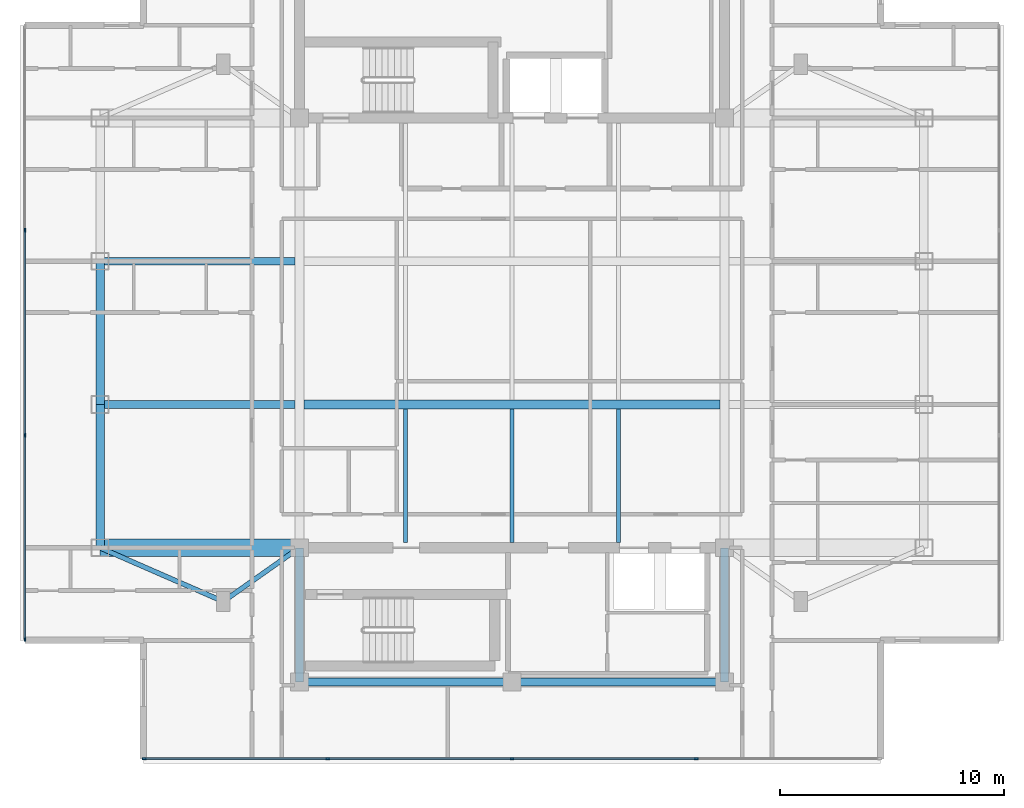
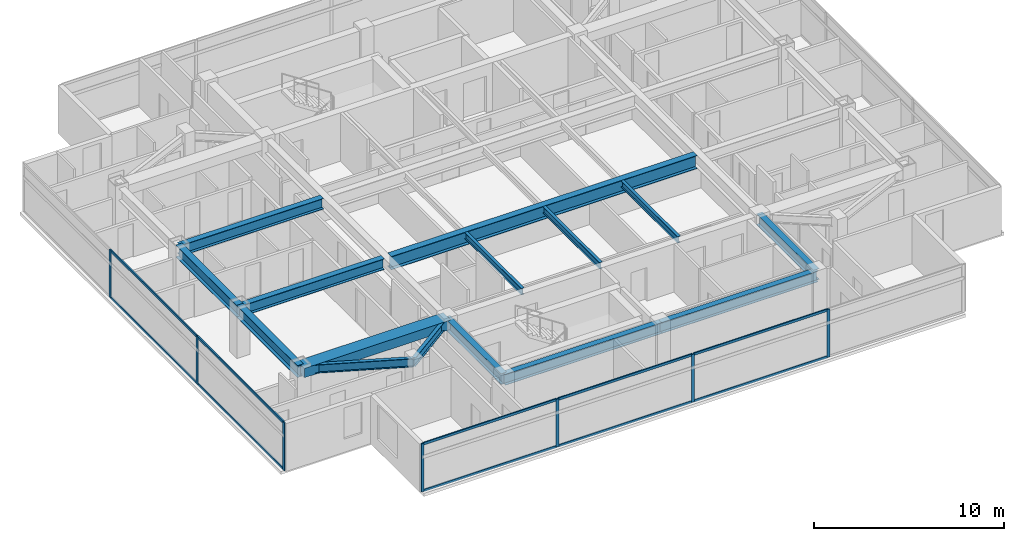
# One storey, part 2 of 14: 17 members, 15 beams, 2 elements without a shape of their own.
"""IFC4 building model written with IfcOpenShell, lengths in metres."""

from ifc_helpers import new_model, si_unit, direction, frame, origin, origin_2d, place, context, subcontext, project, spatial, rectangle, i_section, extrude, material, material_profile, profile_set, type_object, element, aggregate, save


model = new_model("IFC4")

# Units and contexts
model_context = context("Model", 3, precision=1e-05, world=origin(), true_north=direction((0.0, 1.0)))
body_context = subcontext(model_context, "Body", "Model", "MODEL_VIEW")
ifc_project = project(units=[si_unit("LENGTHUNIT", "METRE"), si_unit("AREAUNIT", "SQUARE_METRE"), si_unit("VOLUMEUNIT", "CUBIC_METRE"), si_unit("PLANEANGLEUNIT", "RADIAN"), si_unit("MASSUNIT", "GRAM", prefix="KILO")], contexts=[model_context])

# Site, building, storey
site_placement = place(None, origin())
site = spatial("IfcSite", under=ifc_project, at=site_placement, CompositionType="ELEMENT")
building_placement = place(site_placement, origin())
building = spatial("IfcBuilding", under=site, at=building_placement, Name="Mirazonda Arch Towers", CompositionType="ELEMENT")
storey_placement = place(building_placement, frame((0.0, 0.0, 239.199951171875)))
storey = spatial("IfcBuildingStorey", under=building, at=storey_placement, Name="L68", CompositionType="ELEMENT", Elevation=239.199951171875)

# Beams
ifc_material_1 = material(Name="Steel ASTM A992 Grade 50", Category="steel")
ifc_material_profile_1 = material_profile(ifc_material_1, i_section(OverallWidth=0.381103515625, OverallDepth=0.77294921875, WebThickness=0.0166015625, FlangeThickness=0.027099609375, at=origin_2d()), Name="W30X173")
ifc_profile_set_1 = profile_set([ifc_material_profile_1], Name="Steel ASTM A992 Grade 50")
beam_type_1 = type_object("IfcBeamType", Name="BM-EXT-W30X173", PredefinedType="USERDEFINED", material=ifc_profile_set_1)
beam_1_placement = place(storey_placement, frame((2.10009765625, 18.39990234375, 2.713623046875), z_axis=(0.0, 1.0, 0.0), x_axis=(-1.0, 0.0, 0.0)))
element("IfcBeam", 1, at=beam_1_placement, inside=storey, type_object=beam_type_1, Name="L68 Floor Beam BM-T1-L68-NS-W-18", ObjectType="GIRDER", PredefinedType="USERDEFINED", context=body_context, shape_type="SweptSolid", body=[
    extrude(i_section(OverallWidth=0.381103515625, OverallDepth=0.77294921875, WebThickness=0.0166015625, FlangeThickness=0.027099609375, at=origin_2d()), origin(), (0.0, 0.0, 1.0), 6.400146484375),
])
beam_2_placement = place(storey_placement, frame((2.10009765625, 24.800048828125, 2.713623046875), z_axis=(0.0, 1.0, 0.0), x_axis=(-1.0, 0.0, 0.0)))
element("IfcBeam", 2, at=beam_2_placement, inside=storey, type_object=beam_type_1, Name="L68 Floor Beam BM-T1-L68-NS-W-24", ObjectType="GIRDER", PredefinedType="USERDEFINED", context=body_context, shape_type="SweptSolid", body=[
    extrude(i_section(OverallWidth=0.381103515625, OverallDepth=0.77294921875, WebThickness=0.0166015625, FlangeThickness=0.027099609375, at=origin_2d()), origin(), (0.0, 0.0, 1.0), 6.39990234375),
])
ifc_material_profile_2 = material_profile(ifc_material_1, i_section(OverallWidth=0.180908203125, OverallDepth=0.4169921875, WebThickness=0.010986328125, FlangeThickness=0.018310546875, at=origin_2d()), Name="W16X57")
ifc_profile_set_2 = profile_set([ifc_material_profile_2], Name="Steel ASTM A992 Grade 50")
beam_type_2 = type_object("IfcBeamType", Name="BM-INT-W16X57", PredefinedType="JOIST", material=ifc_profile_set_2)
for number, where, z_axis, x_axis, name in (
    (3, (15.75, 18.639892578125, 2.8916015625), (0.0, 1.0, 0.0), (-1.0, 0.0, 0.0), "L68 Floor Beam BM-T1-L68-J-157-18"),
    (4, (20.5, 18.639892578125, 2.8916015625), (0.0, 1.0, 0.0), (-1.0, 0.0, 0.0), "L68 Floor Beam BM-T1-L68-J-205-18"),
    (5, (25.25, 18.639892578125, 2.8916015625), (0.0, 1.0, 0.0), (-1.0, 0.0, 0.0), "L68 Floor Beam BM-T1-L68-J-252-18"),
):
    element("IfcBeam", number, at=place(storey_placement, frame(where, z_axis=z_axis, x_axis=x_axis)), inside=storey, type_object=beam_type_2, Name=name, PredefinedType="JOIST", context=body_context, shape_type="SweptSolid", body=[
        extrude(i_section(OverallWidth=0.180908203125, OverallDepth=0.4169921875, WebThickness=0.010986328125, FlangeThickness=0.018310546875, at=origin_2d()), origin(), (0.0, 0.0, 1.0), 5.964111328125),
    ])
ifc_material_profile_3 = material_profile(ifc_material_1, i_section(OverallWidth=0.214111328125, OverallDepth=0.549072265625, WebThickness=0.0146484375, FlangeThickness=0.023681640625, at=origin_2d()), Name="W21X93")
ifc_profile_set_3 = profile_set([ifc_material_profile_3], Name="Steel ASTM A992 Grade 50")
beam_type_3 = type_object("IfcBeamType", Name="BM-INT-W21X93", PredefinedType="BEAM", material=ifc_profile_set_3)
beam_3_placement = place(storey_placement, frame((7.60009765625, 16.0, 2.825439453125), z_axis=(0.816971114901, 0.576678591087, 0.0), x_axis=(-0.576678591087, 0.816971114901, 0.0)))
element("IfcBeam", 6, at=beam_3_placement, inside=storey, type_object=beam_type_3, Name="L68 Floor Beam BM-T1-L68-PL-SW1", PredefinedType="BEAM", context=body_context, shape_type="SweptSolid", body=[
    extrude(i_section(OverallWidth=0.214111328125, OverallDepth=0.549072265625, WebThickness=0.0146484375, FlangeThickness=0.023681640625, at=origin_2d()), origin(), (0.0, 0.0, 1.0), 4.16162109375),
])
beam_4_placement = place(storey_placement, frame((7.60009765625, 16.0, 2.825439453125), z_axis=(-0.916545343703, 0.399930785183, 0.0), x_axis=(-0.399930785183, -0.916545343703, 0.0)))
element("IfcBeam", 7, at=beam_4_placement, inside=storey, type_object=beam_type_3, Name="L68 Floor Beam BM-T1-L68-PL-SW2", PredefinedType="BEAM", context=body_context, shape_type="SweptSolid", body=[
    extrude(i_section(OverallWidth=0.214111328125, OverallDepth=0.549072265625, WebThickness=0.0146484375, FlangeThickness=0.023681640625, at=origin_2d()), origin(), (0.0, 0.0, 1.0), 6.000732421875),
])
ifc_material_profile_4 = material_profile(ifc_material_1, i_section(OverallWidth=0.35498046875, OverallDepth=0.696044921875, WebThickness=0.015380859375, FlangeThickness=0.02490234375, at=origin_2d()), Name="W27X146")
ifc_profile_set_4 = profile_set([ifc_material_profile_4], Name="Steel ASTM A992 Grade 50")
beam_type_4 = type_object("IfcBeamType", Name="BM-INT-W27X146", PredefinedType="BEAM", material=ifc_profile_set_4)
for number, where, z_axis, x_axis, name in (
    (8, (2.10009765625, 24.800048828125, 2.751953125), (1.0, 0.0, 0.0), (0.0, 1.0, 0.0), "L68 Floor Beam BM-T1-L68-GW2"),
    (9, (2.10009765625, 31.199951171875, 2.751953125), (1.0, 0.0, 0.0), (0.0, 1.0, 0.0), "L68 Floor Beam BM-T1-L68-GW3"),
):
    element("IfcBeam", number, at=place(storey_placement, frame(where, z_axis=z_axis, x_axis=x_axis)), inside=storey, type_object=beam_type_4, Name=name, PredefinedType="BEAM", context=body_context, shape_type="SweptSolid", body=[
        extrude(i_section(OverallWidth=0.35498046875, OverallDepth=0.696044921875, WebThickness=0.015380859375, FlangeThickness=0.02490234375, at=origin_2d()), origin(), (0.0, 0.0, 1.0), 8.699951171875),
    ])
for number, where, z_axis, x_axis, name in (
    (10, (11.0, 12.39990234375, 2.751953125), (1.0, 0.0, 0.0), (0.0, 1.0, 0.0), "L68 Floor Beam BM-T1-L68-CS1"),
    (11, (20.5, 12.39990234375, 2.751953125), (1.0, 0.0, 0.0), (0.0, 1.0, 0.0), "L68 Floor Beam BM-T1-L68-CS2"),
):
    element("IfcBeam", number, at=place(storey_placement, frame(where, z_axis=z_axis, x_axis=x_axis)), inside=storey, type_object=beam_type_4, Name=name, PredefinedType="BEAM", context=body_context, shape_type="SweptSolid", body=[
        extrude(i_section(OverallWidth=0.35498046875, OverallDepth=0.696044921875, WebThickness=0.015380859375, FlangeThickness=0.02490234375, at=origin_2d()), origin(), (0.0, 0.0, 1.0), 9.5),
    ])
for number, where, z_axis, x_axis, name in (
    (12, (11.0, 12.39990234375, 2.751953125), (0.0, 1.0, 0.0), (-1.0, 0.0, 0.0), "L68 Floor Beam BM-T1-L68-CSW"),
    (13, (30.0, 12.39990234375, 2.751953125), (0.0, 1.0, 0.0), (-1.0, 0.0, 0.0), "L68 Floor Beam BM-T1-L68-CSE"),
):
    element("IfcBeam", number, at=place(storey_placement, frame(where, z_axis=z_axis, x_axis=x_axis)), inside=storey, type_object=beam_type_4, Name=name, PredefinedType="BEAM", context=body_context, shape_type="SweptSolid", body=[
        extrude(i_section(OverallWidth=0.35498046875, OverallDepth=0.696044921875, WebThickness=0.015380859375, FlangeThickness=0.02490234375, at=origin_2d()), origin(), (0.0, 0.0, 1.0), 6.0),
    ])
ifc_material_profile_5 = material_profile(ifc_material_1, i_section(OverallWidth=0.39990234375, OverallDepth=0.85595703125, WebThickness=0.018310546875, FlangeThickness=0.029296875, at=origin_2d()), Name="W33X201")
ifc_profile_set_5 = profile_set([ifc_material_profile_5], Name="Steel ASTM A992 Grade 50")
beam_type_5 = type_object("IfcBeamType", Name="BM-INT-W33X201", PredefinedType="USERDEFINED", material=ifc_profile_set_5)
beam_5_placement = place(storey_placement, frame((11.199951171875, 24.800048828125, 2.672119140625), z_axis=(1.0, 0.0, 0.0), x_axis=(0.0, 1.0, 0.0)))
element("IfcBeam", 14, at=beam_5_placement, inside=storey, type_object=beam_type_5, Name="L68 Floor Beam BM-T1-L68-GC2", ObjectType="GIRDER", PredefinedType="USERDEFINED", context=body_context, shape_type="SweptSolid", body=[
    extrude(i_section(OverallWidth=0.39990234375, OverallDepth=0.85595703125, WebThickness=0.018310546875, FlangeThickness=0.029296875, at=origin_2d()), origin(), (0.0, 0.0, 1.0), 18.60009765625),
])
ifc_material_2 = material(Name="Concrete C60/75", Category="concrete")
ifc_material_profile_6 = material_profile(ifc_material_2, rectangle(XDim=0.800048828125, YDim=0.60009765625, at=origin_2d()), Name="RCCB800x600")
ifc_profile_set_6 = profile_set([ifc_material_profile_6], Name="Concrete C60/75")
beam_type_6 = type_object("IfcBeamType", Name="CB-INT-RCCB800x600", PredefinedType="SPANDREL", material=ifc_profile_set_6)
beam_6_placement = place(storey_placement, frame((2.10009765625, 18.39990234375, 2.800048828125), z_axis=(1.0, 0.0, 0.0), x_axis=(0.0, 1.0, 0.0)))
element("IfcBeam", 15, at=beam_6_placement, inside=storey, type_object=beam_type_6, Name="L68 Floor Beam CBC-T1-L68-SW", PredefinedType="SPANDREL", context=body_context, shape_type="SweptSolid", body=[
    extrude(rectangle(XDim=0.800048828125, YDim=0.60009765625, at=origin_2d()), origin(), (0.0, 0.0, 1.0), 8.89990234375),
])

# Curtain wall, members
ifc_material_3 = material(Name="Anodised Aluminium and Low-E Glass", Category="aluminium")
curtain_wall_type = type_object("IfcCurtainWallType", Name="CW-RES-UNIT", PredefinedType="NOTDEFINED", material=ifc_material_3)
curtain_wall_1_placement = place(storey_placement, origin())
curtain_wall_1 = element("IfcCurtainWall", 16, at=curtain_wall_1_placement, inside=storey, type_object=curtain_wall_type, Name="L68 T1 S Facade CW-L68-T1-S", PredefinedType="NOTDEFINED")
ifc_material_4 = material(Name="Anodised Aluminium Alloy", Category="aluminium")
ifc_material_profile_7 = material_profile(ifc_material_4, rectangle(XDim=0.074951171875, YDim=0.175048828125, at=origin_2d()), Name="ALU-MULL-75x175")
ifc_profile_set_7 = profile_set([ifc_material_profile_7], Name="Anodised Aluminium Alloy")
member_type_1 = type_object("IfcMemberType", Name="MULL-CW-RES-UNIT", PredefinedType="MULLION", material=ifc_profile_set_7)
member_1_placement = place(storey_placement, frame((28.735107421875, 8.971923828125, 0.0), z_axis=(0.0, 0.0, 1.0), x_axis=(0.0, -1.0, 0.0)))
member_1 = element("IfcMember", 17, at=member_1_placement, type_object=member_type_1, Name="CW-104 mullion 2", PredefinedType="MULLION", context=body_context, shape_type="SweptSolid", body=[
    extrude(rectangle(XDim=0.074951171875, YDim=0.175048828125, at=origin_2d()), origin(), (0.0, 0.0, 1.0), 3.080078125),
])
member_2_placement = place(storey_placement, frame((20.5, 8.971923828125, 0.0), z_axis=(0.0, 0.0, 1.0), x_axis=(0.0, -1.0, 0.0)))
member_2 = element("IfcMember", 18, at=member_2_placement, type_object=member_type_1, Name="CW-104 mullion 3", PredefinedType="MULLION", context=body_context, shape_type="SweptSolid", body=[
    extrude(rectangle(XDim=0.074951171875, YDim=0.175048828125, at=origin_2d()), origin(), (0.0, 0.0, 1.0), 3.080078125),
])
member_3_placement = place(storey_placement, frame((12.264892578125, 8.971923828125, 0.0), z_axis=(0.0, 0.0, 1.0), x_axis=(0.0, -1.0, 0.0)))
member_3 = element("IfcMember", 19, at=member_3_placement, type_object=member_type_1, Name="CW-104 mullion 4", PredefinedType="MULLION", context=body_context, shape_type="SweptSolid", body=[
    extrude(rectangle(XDim=0.074951171875, YDim=0.175048828125, at=origin_2d()), origin(), (0.0, 0.0, 1.0), 3.080078125),
])
member_4_placement = place(storey_placement, frame((4.0673828125, 8.971923828125, 0.0), z_axis=(0.0, 0.0, 1.0), x_axis=(0.0, -1.0, 0.0)))
member_4 = element("IfcMember", 20, at=member_4_placement, type_object=member_type_1, Name="CW-104 mullion 5", PredefinedType="MULLION", context=body_context, shape_type="SweptSolid", body=[
    extrude(rectangle(XDim=0.074951171875, YDim=0.175048828125, at=origin_2d()), origin(), (0.0, 0.0, 1.0), 3.080078125),
])

curtain_wall_2_placement = place(storey_placement, origin())
curtain_wall_2 = element("IfcCurtainWall", 21, at=curtain_wall_2_placement, inside=storey, type_object=curtain_wall_type, Name="L68 T1 W Facade CW-L68-T1-W", PredefinedType="NOTDEFINED")
member_5_placement = place(storey_placement, frame((-1.260009765625, 32.579345703125, 0.0), z_axis=(0.0, 0.0, 1.0), x_axis=(1.0, 0.0, 0.0)))
member_5 = element("IfcMember", 22, at=member_5_placement, type_object=member_type_1, Name="CW-104 mullion 2", PredefinedType="MULLION", context=body_context, shape_type="SweptSolid", body=[
    extrude(rectangle(XDim=0.074951171875, YDim=0.175048828125, at=origin_2d()), origin(), (0.0, 0.0, 1.0), 3.080078125),
])
member_6_placement = place(storey_placement, frame((-1.260009765625, 23.420654296875, 0.0), z_axis=(0.0, 0.0, 1.0), x_axis=(1.0, 0.0, 0.0)))
member_6 = element("IfcMember", 23, at=member_6_placement, type_object=member_type_1, Name="CW-104 mullion 3", PredefinedType="MULLION", context=body_context, shape_type="SweptSolid", body=[
    extrude(rectangle(XDim=0.074951171875, YDim=0.175048828125, at=origin_2d()), origin(), (0.0, 0.0, 1.0), 3.080078125),
])
member_7_placement = place(storey_placement, frame((-1.260009765625, 14.299560546875, 0.0), z_axis=(0.0, 0.0, 1.0), x_axis=(1.0, 0.0, 0.0)))
member_7 = element("IfcMember", 24, at=member_7_placement, type_object=member_type_1, Name="CW-104 mullion 4", PredefinedType="MULLION", context=body_context, shape_type="SweptSolid", body=[
    extrude(rectangle(XDim=0.074951171875, YDim=0.175048828125, at=origin_2d()), origin(), (0.0, 0.0, 1.0), 3.080078125),
])

# Member
ifc_material_profile_8 = material_profile(ifc_material_4, rectangle(XDim=0.074951171875, YDim=0.155029296875, at=origin_2d()), Name="ALU-TRAN-75x155")
ifc_profile_set_8 = profile_set([ifc_material_profile_8], Name="Anodised Aluminium Alloy")
member_type_2 = type_object("IfcMemberType", Name="TRAN-CW-RES-UNIT", PredefinedType="USERDEFINED", material=ifc_profile_set_8)
member_8_placement = place(storey_placement, frame((28.697509765625, 8.971923828125, 0.03759765625), z_axis=(-1.0, 0.0, 0.0), x_axis=(0.0, -1.0, 0.0)))
member_8 = element("IfcMember", 25, at=member_8_placement, type_object=member_type_2, Name="CW-104 transom 2.1", ObjectType="TRANSOM", PredefinedType="USERDEFINED", context=body_context, shape_type="SweptSolid", body=[
    extrude(rectangle(XDim=0.074951171875, YDim=0.155029296875, at=origin_2d()), origin(), (0.0, 0.0, 1.0), 8.159912109375),
])

member_9_placement = place(storey_placement, frame((28.697509765625, 8.971923828125, 3.04248046875), z_axis=(-1.0, 0.0, 0.0), x_axis=(0.0, -1.0, 0.0)))
member_9 = element("IfcMember", 26, at=member_9_placement, type_object=member_type_2, Name="CW-104 transom 2.2", ObjectType="TRANSOM", PredefinedType="USERDEFINED", context=body_context, shape_type="SweptSolid", body=[
    extrude(rectangle(XDim=0.074951171875, YDim=0.155029296875, at=origin_2d()), origin(), (0.0, 0.0, 1.0), 8.159912109375),
])

member_10_placement = place(storey_placement, frame((20.46240234375, 8.971923828125, 0.03759765625), z_axis=(-1.0, 0.0, 0.0), x_axis=(0.0, -1.0, 0.0)))
member_10 = element("IfcMember", 27, at=member_10_placement, type_object=member_type_2, Name="CW-104 transom 3.1", ObjectType="TRANSOM", PredefinedType="USERDEFINED", context=body_context, shape_type="SweptSolid", body=[
    extrude(rectangle(XDim=0.074951171875, YDim=0.155029296875, at=origin_2d()), origin(), (0.0, 0.0, 1.0), 8.159912109375),
])

member_11_placement = place(storey_placement, frame((20.46240234375, 8.971923828125, 3.04248046875), z_axis=(-1.0, 0.0, 0.0), x_axis=(0.0, -1.0, 0.0)))
member_11 = element("IfcMember", 28, at=member_11_placement, type_object=member_type_2, Name="CW-104 transom 3.2", ObjectType="TRANSOM", PredefinedType="USERDEFINED", context=body_context, shape_type="SweptSolid", body=[
    extrude(rectangle(XDim=0.074951171875, YDim=0.155029296875, at=origin_2d()), origin(), (0.0, 0.0, 1.0), 8.159912109375),
])

member_12_placement = place(storey_placement, frame((12.2275390625, 8.971923828125, 0.03759765625), z_axis=(-1.0, 0.0, 0.0), x_axis=(0.0, -1.0, 0.0)))
member_12 = element("IfcMember", 29, at=member_12_placement, type_object=member_type_2, Name="CW-104 transom 4.1", ObjectType="TRANSOM", PredefinedType="USERDEFINED", context=body_context, shape_type="SweptSolid", body=[
    extrude(rectangle(XDim=0.074951171875, YDim=0.155029296875, at=origin_2d()), origin(), (0.0, 0.0, 1.0), 8.12255859375),
])

member_13_placement = place(storey_placement, frame((12.2275390625, 8.971923828125, 3.04248046875), z_axis=(-1.0, 0.0, 0.0), x_axis=(0.0, -1.0, 0.0)))
member_13 = element("IfcMember", 30, at=member_13_placement, type_object=member_type_2, Name="CW-104 transom 4.2", ObjectType="TRANSOM", PredefinedType="USERDEFINED", context=body_context, shape_type="SweptSolid", body=[
    extrude(rectangle(XDim=0.074951171875, YDim=0.155029296875, at=origin_2d()), origin(), (0.0, 0.0, 1.0), 8.12255859375),
])

aggregate(curtain_wall_1, [member_1, member_2, member_3, member_4, member_8, member_9, member_10, member_11, member_12, member_13])

member_14_placement = place(storey_placement, frame((-1.260009765625, 32.541748046875, 0.03759765625), z_axis=(0.0, -1.0, 0.0), x_axis=(1.0, 0.0, 0.0)))
member_14 = element("IfcMember", 31, at=member_14_placement, type_object=member_type_2, Name="CW-104 transom 2.1", ObjectType="TRANSOM", PredefinedType="USERDEFINED", context=body_context, shape_type="SweptSolid", body=[
    extrude(rectangle(XDim=0.074951171875, YDim=0.155029296875, at=origin_2d()), origin(), (0.0, 0.0, 1.0), 9.08349609375),
])

member_15_placement = place(storey_placement, frame((-1.260009765625, 32.541748046875, 3.04248046875), z_axis=(0.0, -1.0, 0.0), x_axis=(1.0, 0.0, 0.0)))
member_15 = element("IfcMember", 32, at=member_15_placement, type_object=member_type_2, Name="CW-104 transom 2.2", ObjectType="TRANSOM", PredefinedType="USERDEFINED", context=body_context, shape_type="SweptSolid", body=[
    extrude(rectangle(XDim=0.074951171875, YDim=0.155029296875, at=origin_2d()), origin(), (0.0, 0.0, 1.0), 9.08349609375),
])

member_16_placement = place(storey_placement, frame((-1.260009765625, 23.383056640625, 0.03759765625), z_axis=(0.0, -1.0, 0.0), x_axis=(1.0, 0.0, 0.0)))
member_16 = element("IfcMember", 33, at=member_16_placement, type_object=member_type_2, Name="CW-104 transom 3.1", ObjectType="TRANSOM", PredefinedType="USERDEFINED", context=body_context, shape_type="SweptSolid", body=[
    extrude(rectangle(XDim=0.074951171875, YDim=0.155029296875, at=origin_2d()), origin(), (0.0, 0.0, 1.0), 9.046142578125),
])

member_17_placement = place(storey_placement, frame((-1.260009765625, 23.383056640625, 3.04248046875), z_axis=(0.0, -1.0, 0.0), x_axis=(1.0, 0.0, 0.0)))
member_17 = element("IfcMember", 34, at=member_17_placement, type_object=member_type_2, Name="CW-104 transom 3.2", ObjectType="TRANSOM", PredefinedType="USERDEFINED", context=body_context, shape_type="SweptSolid", body=[
    extrude(rectangle(XDim=0.074951171875, YDim=0.155029296875, at=origin_2d()), origin(), (0.0, 0.0, 1.0), 9.046142578125),
])

aggregate(curtain_wall_2, [member_5, member_6, member_7, member_14, member_15, member_16, member_17])

save(model, "model.ifc")
